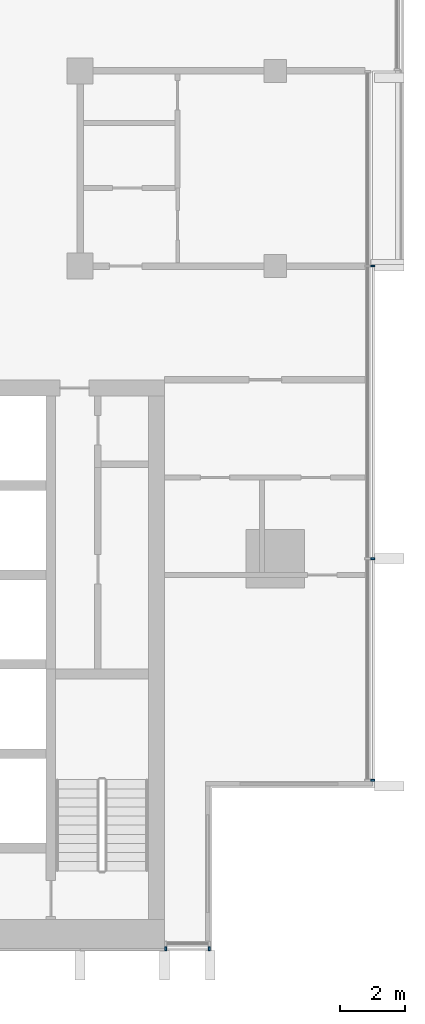
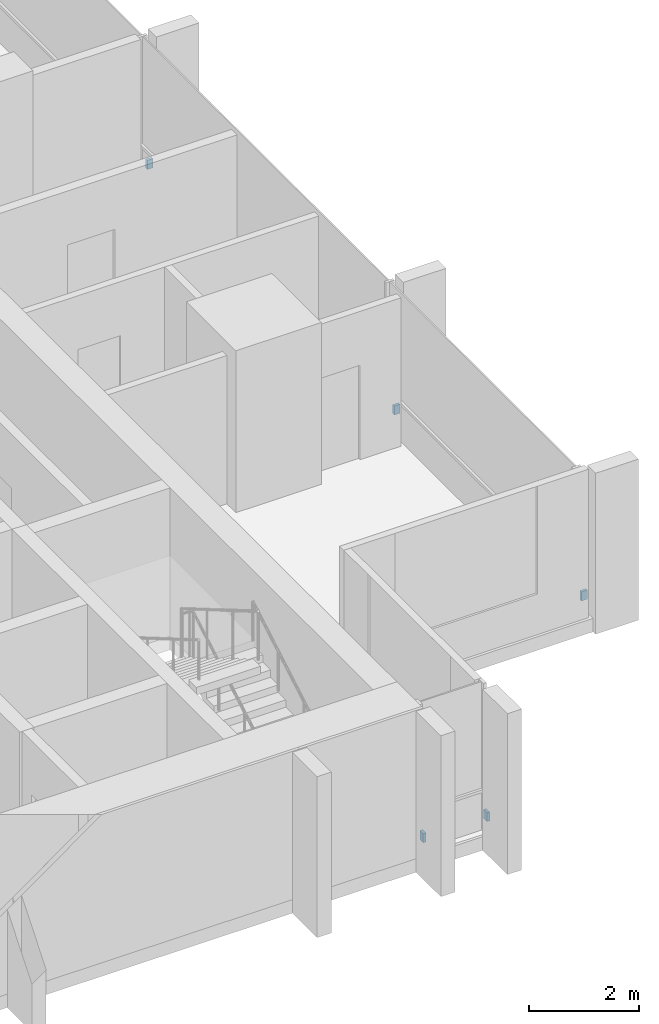
# One storey, part 13 of 16: 5 discrete accessories.
"""IFC4 building model written with IfcOpenShell, lengths in metres."""

from ifc_helpers import new_model, si_unit, direction, frame, origin, origin_2d, place, context, subcontext, project, spatial, rectangle, extrude, material, type_object, element, save


model = new_model("IFC4")

# Units and contexts
model_context = context("Model", 3, precision=1e-05, world=origin(), true_north=direction((0.0, 1.0)))
body_context = subcontext(model_context, "Body", "Model", "MODEL_VIEW")
ifc_project = project(units=[si_unit("LENGTHUNIT", "METRE"), si_unit("AREAUNIT", "SQUARE_METRE"), si_unit("VOLUMEUNIT", "CUBIC_METRE"), si_unit("PLANEANGLEUNIT", "RADIAN"), si_unit("MASSUNIT", "GRAM", prefix="KILO")], contexts=[model_context])

# Site, building, storey
site_placement = place(None, origin())
site = spatial("IfcSite", under=ifc_project, at=site_placement, CompositionType="ELEMENT")
building_placement = place(site_placement, origin())
building = spatial("IfcBuilding", under=site, at=building_placement, Name="Finial Court Residences", CompositionType="ELEMENT")
storey_placement = place(building_placement, frame((0.0, 0.0, 287.89990234375)))
storey = spatial("IfcBuildingStorey", under=building, at=storey_placement, Name="L73", CompositionType="ELEMENT", Elevation=287.89990234375)

# Discrete accessories
ifc_material = material(Name="Stainless steel 316", Category="steel")
discrete_accessory_type = type_object("IfcDiscreteAccessoryType", Name="Fin bracket, stainless steel 60 x 122 x 200", PredefinedType="BRACKET", material=ifc_material)
for number, where, z_axis, x_axis, name in (
    (1, (19.498779296875, -20.320068359375, 0.30029296875), (0.0, 0.0, 1.0), (1.0, 0.0, 0.0), "E-L73-FIN-E7-BRK"),
    (2, (19.498779296875, -13.5, 0.30029296875), (0.0, 0.0, 1.0), (1.0, 0.0, 0.0), "E-L73-FIN-E8-BRK"),
    (3, (19.498779296875, -4.5, 0.30029296875), (0.0, 0.0, 1.0), (1.0, 0.0, 0.0), "E-L73-FIN-E9-BRK"),
):
    element("IfcDiscreteAccessory", number, at=place(storey_placement, frame(where, z_axis=z_axis, x_axis=x_axis)), inside=storey, type_object=discrete_accessory_type, Name=name, PredefinedType="BRACKET", context=body_context, shape_type="SweptSolid", body=[
        extrude(rectangle(XDim=0.12255859375, YDim=0.06005859375, at=origin_2d()), origin(), (0.0, 0.0, 1.0), 0.199951171875),
    ])
for number, where, z_axis, x_axis, name in (
    (4, (13.1298828125, -25.498779296875, 0.30029296875), (0.0, 0.0, 1.0), (1.0, 0.0, 0.0), "E-L73-FIN-S19-BRK"),
    (5, (14.469970703125, -25.498779296875, 0.30029296875), (0.0, 0.0, 1.0), (1.0, 0.0, 0.0), "E-L73-FIN-S20-BRK"),
):
    element("IfcDiscreteAccessory", number, at=place(storey_placement, frame(where, z_axis=z_axis, x_axis=x_axis)), inside=storey, type_object=discrete_accessory_type, Name=name, PredefinedType="BRACKET", context=body_context, shape_type="SweptSolid", body=[
        extrude(rectangle(XDim=0.06005859375, YDim=0.12255859375, at=origin_2d()), origin(), (0.0, 0.0, 1.0), 0.199951171875),
    ])

save(model, "model.ifc")
